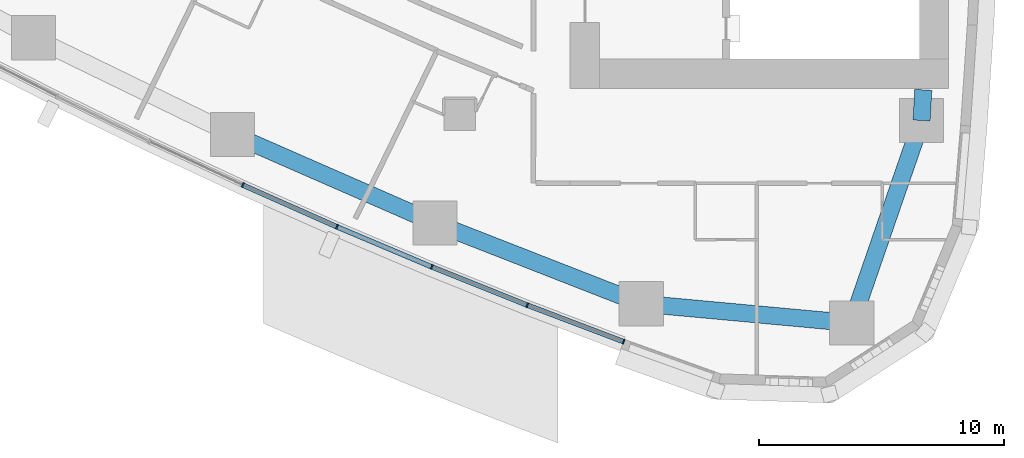
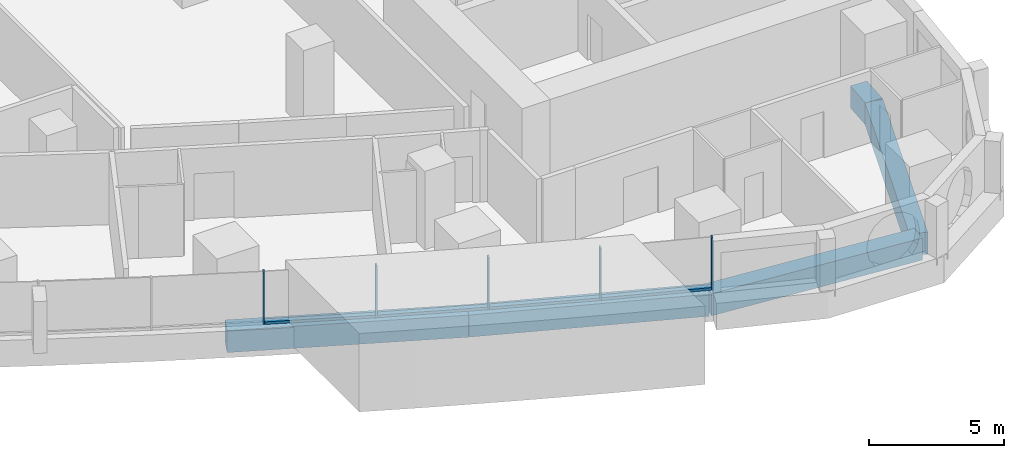
# One storey, part 3 of 18: 9 members, 5 beams, 3 elements without a shape of their own.
"""IFC4 building model written with IfcOpenShell, lengths in metres."""

from ifc_helpers import new_model, si_unit, direction, frame, origin, origin_2d, place, context, subcontext, project, spatial, rectangle, extrude, material, layer, layer_set, material_profile, profile_set, type_object, element, aggregate, save


model = new_model("IFC4")

# Units and contexts
model_context = context("Model", 3, precision=1e-05, world=origin(), true_north=direction((0.0, 1.0)))
body_context = subcontext(model_context, "Body", "Model", "MODEL_VIEW")
ifc_project = project(units=[si_unit("LENGTHUNIT", "METRE"), si_unit("AREAUNIT", "SQUARE_METRE"), si_unit("VOLUMEUNIT", "CUBIC_METRE"), si_unit("PLANEANGLEUNIT", "RADIAN"), si_unit("MASSUNIT", "GRAM", prefix="KILO")], contexts=[model_context])

# Site, building, storey
site_placement = place(None, origin())
site = spatial("IfcSite", under=ifc_project, at=site_placement, CompositionType="ELEMENT")
building_placement = place(site_placement, origin())
building = spatial("IfcBuilding", under=site, at=building_placement, Name="Ostrand Prow Hotel Tower", CompositionType="ELEMENT")
storey_placement = place(building_placement, frame((0.0, 0.0, 57.35009765625)))
storey = spatial("IfcBuildingStorey", under=building, at=storey_placement, Name="L12", CompositionType="ELEMENT", Elevation=57.35009765625)

# Beams
ifc_material_1 = material(Name="Concrete C80/95", Category="concrete")
ifc_material_profile_1 = material_profile(ifc_material_1, rectangle(XDim=0.699951171875, YDim=1.0, at=origin_2d()), Name="RC 700x1000")
ifc_profile_set_1 = profile_set([ifc_material_profile_1], Name="Concrete C80/95")
beam_type = type_object("IfcBeamType", Name="Edge beam 700x1000 C80/95", PredefinedType="SPANDREL", material=ifc_profile_set_1)
for number, where, z_axis, x_axis, name in (
    (1, (35.7412109375, -18.814208984375, -0.800048828125), (0.916095776162, -0.400959510297, 0.0), (0.400959510297, 0.916095776162, 0.0), "Edge beam S4-S5"),
    (2, (43.997802734375, -22.427978515625, -0.800048828125), (0.931329480916, -0.364177701098, 0.0), (0.364177701098, 0.931329480916, 0.0), "Edge beam S5-S6"),
):
    element("IfcBeam", number, at=place(storey_placement, frame(where, z_axis=z_axis, x_axis=x_axis)), inside=storey, type_object=beam_type, Name=name, PredefinedType="SPANDREL", context=body_context, shape_type="SweptSolid", body=[
        extrude(rectangle(XDim=0.699951171875, YDim=1.0, at=origin_2d()), origin(), (0.0, 0.0, 1.0), 9.0126953125),
    ])
beam_1_placement = place(storey_placement, frame((52.3916015625, -25.710205078125, -0.800048828125), z_axis=(0.995800189514, -0.091553167961, 0.0), x_axis=(0.091553167961, 0.995800189514, 0.0)))
element("IfcBeam", 3, at=beam_1_placement, inside=storey, type_object=beam_type, Name="Edge beam S6-SE", PredefinedType="SPANDREL", context=body_context, shape_type="SweptSolid", body=[
    extrude(rectangle(XDim=0.699951171875, YDim=1.0, at=origin_2d()), origin(), (0.0, 0.0, 1.0), 8.610595703125),
])
beam_2_placement = place(storey_placement, frame((60.966064453125, -26.49853515625, -0.800048828125), z_axis=(0.326263961413, 0.945278703602, 0.0), x_axis=(-0.945278703602, 0.326263961413, 0.0)))
element("IfcBeam", 4, at=beam_2_placement, inside=storey, type_object=beam_type, Name="Edge beam SE-B1", PredefinedType="SPANDREL", context=body_context, shape_type="SweptSolid", body=[
    extrude(rectangle(XDim=0.699951171875, YDim=1.0, at=origin_2d()), origin(), (0.0, 0.0, 1.0), 8.727294921875),
])
beam_3_placement = place(storey_placement, frame((63.8134765625, -18.248779296875, -0.800048828125), z_axis=(0.056215946509, 0.998418633319, 0.0), x_axis=(-0.998418633319, 0.056215946509, 0.0)))
element("IfcBeam", 5, at=beam_3_placement, inside=storey, type_object=beam_type, Name="Edge beam B1-B2", PredefinedType="SPANDREL", context=body_context, shape_type="SweptSolid", body=[
    extrude(rectangle(XDim=0.699951171875, YDim=1.0, at=origin_2d()), origin(), (0.0, 0.0, 1.0), 1.250732421875),
])

# Curtain wall, member
ifc_material_2 = material(Name="Insulated glass in bronze anodised frame", Category="glass")
ifc_layer = layer(ifc_material_2, 0.199951171875)
ifc_layer_set = layer_set([ifc_layer], Name="Insulated glass in bronze anodised frame")
curtain_wall_type = type_object("IfcCurtainWallType", Name="Strip curtain wall, fritted glass over bronze spandrel", PredefinedType="NOTDEFINED", material=ifc_layer_set)
curtain_wall_1_placement = place(storey_placement, origin())
curtain_wall_1 = element("IfcCurtainWall", 6, at=curtain_wall_1_placement, inside=storey, type_object=curtain_wall_type, Name="CW1 run CWS3", PredefinedType="NOTDEFINED")
ifc_material_3 = material(Name="Bronze anodised aluminium", Category="aluminium")
ifc_material_profile_2 = material_profile(ifc_material_3, rectangle(XDim=0.199951171875, YDim=0.06005859375, at=origin_2d()), Name="Mullion 60x200 bronze anodised aluminium")
ifc_profile_set_2 = profile_set([ifc_material_profile_2], Name="Bronze anodised aluminium")
member_type_1 = type_object("IfcMemberType", Name="Mullion 60x200 bronze anodised aluminium", PredefinedType="MULLION", material=ifc_profile_set_2)
member_1_placement = place(storey_placement, frame((36.162109375, -20.876953125, 0.89990234375), z_axis=(0.0, 0.0, 1.0), x_axis=(0.422529678615, 0.906349088757, 0.0)))
member_1 = element("IfcMember", 7, at=member_1_placement, type_object=member_type_1, Name="CW1 mullion 3", PredefinedType="MULLION", context=body_context, shape_type="SweptSolid", body=[
    extrude(rectangle(XDim=0.199951171875, YDim=0.06005859375, at=origin_2d()), origin(), (0.0, 0.0, 1.0), 2.35009765625),
])
aggregate(curtain_wall_1, [member_1])

# Curtain wall, members
curtain_wall_2_placement = place(storey_placement, origin())
curtain_wall_2 = element("IfcCurtainWall", 8, at=curtain_wall_2_placement, inside=storey, type_object=curtain_wall_type, Name="CW1 run CWS4", PredefinedType="NOTDEFINED")
member_2_placement = place(storey_placement, frame((39.99560546875, -22.5791015625, 0.89990234375), z_axis=(0.0, 0.0, 1.0), x_axis=(0.388892418709, 0.921283173987, 0.0)))
member_2 = element("IfcMember", 9, at=member_2_placement, type_object=member_type_1, Name="CW1 mullion 2", PredefinedType="MULLION", context=body_context, shape_type="SweptSolid", body=[
    extrude(rectangle(XDim=0.199951171875, YDim=0.06005859375, at=origin_2d()), origin(), (0.0, 0.0, 1.0), 2.35009765625),
])
member_3_placement = place(storey_placement, frame((43.859619140625, -24.210205078125, 0.89990234375), z_axis=(0.0, 0.0, 1.0), x_axis=(0.388892418709, 0.921283173987, 0.0)))
member_3 = element("IfcMember", 10, at=member_3_placement, type_object=member_type_1, Name="CW1 mullion 3", PredefinedType="MULLION", context=body_context, shape_type="SweptSolid", body=[
    extrude(rectangle(XDim=0.199951171875, YDim=0.06005859375, at=origin_2d()), origin(), (0.0, 0.0, 1.0), 2.35009765625),
])

curtain_wall_3_placement = place(storey_placement, origin())
curtain_wall_3 = element("IfcCurtainWall", 11, at=curtain_wall_3_placement, inside=storey, type_object=curtain_wall_type, Name="CW1 run CWS5", PredefinedType="NOTDEFINED")
member_4_placement = place(storey_placement, frame((47.7529296875, -25.769775390625, 0.89990234375), z_axis=(0.0, 0.0, 1.0), x_axis=(0.354728407072, 0.934969388384, 0.0)))
member_4 = element("IfcMember", 12, at=member_4_placement, type_object=member_type_1, Name="CW1 mullion 2", PredefinedType="MULLION", context=body_context, shape_type="SweptSolid", body=[
    extrude(rectangle(XDim=0.199951171875, YDim=0.06005859375, at=origin_2d()), origin(), (0.0, 0.0, 1.0), 2.35009765625),
])
member_5_placement = place(storey_placement, frame((51.674560546875, -27.2578125, 0.89990234375), z_axis=(0.0, 0.0, 1.0), x_axis=(0.354728407072, 0.934969388384, 0.0)))
member_5 = element("IfcMember", 13, at=member_5_placement, type_object=member_type_1, Name="CW1 mullion 3", PredefinedType="MULLION", context=body_context, shape_type="SweptSolid", body=[
    extrude(rectangle(XDim=0.199951171875, YDim=0.06005859375, at=origin_2d()), origin(), (0.0, 0.0, 1.0), 2.35009765625),
])

# Member
ifc_material_4 = material(Name="Bronze anodised aluminium", Category="aluminium")
ifc_material_profile_3 = material_profile(ifc_material_4, rectangle(XDim=0.199951171875, YDim=0.1201171875, at=origin_2d()), Name="Transom 120x200 bronze anodised aluminium")
ifc_profile_set_3 = profile_set([ifc_material_profile_3], Name="Bronze anodised aluminium")
member_type_2 = type_object("IfcMemberType", Name="Transom 120x200 bronze anodised aluminium", PredefinedType="USERDEFINED", material=ifc_profile_set_3)
member_6_placement = place(storey_placement, frame((36.189453125, -20.88916015625, 0.9599609375), z_axis=(0.913957599094, -0.405809693156, 0.0), x_axis=(0.405809693156, 0.913957599094, 0.0)))
member_6 = element("IfcMember", 14, at=member_6_placement, type_object=member_type_2, Name="CW1 transom 1.1", ObjectType="TRANSOM", PredefinedType="USERDEFINED", context=body_context, shape_type="SweptSolid", body=[
    extrude(rectangle(XDim=0.199951171875, YDim=0.1201171875, at=origin_2d()), origin(), (0.0, 0.0, 1.0), 4.13427734375),
])

member_7_placement = place(storey_placement, frame((40.023193359375, -22.5908203125, 0.9599609375), z_axis=(0.921284828297, -0.388888499637, 0.0), x_axis=(0.388888499637, 0.921284828297, 0.0)))
member_7 = element("IfcMember", 15, at=member_7_placement, type_object=member_type_2, Name="CW1 transom 2.1", ObjectType="TRANSOM", PredefinedType="USERDEFINED", context=body_context, shape_type="SweptSolid", body=[
    extrude(rectangle(XDim=0.199951171875, YDim=0.1201171875, at=origin_2d()), origin(), (0.0, 0.0, 1.0), 4.134033203125),
])

aggregate(curtain_wall_2, [member_2, member_3, member_6, member_7])

member_8_placement = place(storey_placement, frame((43.887451171875, -24.22119140625, 0.9599609375), z_axis=(0.928264761225, -0.371920062739, 0.0), x_axis=(0.371920062739, 0.928264761225, 0.0)))
member_8 = element("IfcMember", 16, at=member_8_placement, type_object=member_type_2, Name="CW1 transom 1.1", ObjectType="TRANSOM", PredefinedType="USERDEFINED", context=body_context, shape_type="SweptSolid", body=[
    extrude(rectangle(XDim=0.199951171875, YDim=0.1201171875, at=origin_2d()), origin(), (0.0, 0.0, 1.0), 4.13427734375),
])

member_9_placement = place(storey_placement, frame((47.781005859375, -25.780517578125, 0.9599609375), z_axis=(0.93497051437, -0.354725439261, 0.0), x_axis=(0.354725439261, 0.93497051437, 0.0)))
member_9 = element("IfcMember", 17, at=member_9_placement, type_object=member_type_2, Name="CW1 transom 2.1", ObjectType="TRANSOM", PredefinedType="USERDEFINED", context=body_context, shape_type="SweptSolid", body=[
    extrude(rectangle(XDim=0.199951171875, YDim=0.1201171875, at=origin_2d()), origin(), (0.0, 0.0, 1.0), 4.13427734375),
])

aggregate(curtain_wall_3, [member_4, member_5, member_8, member_9])

save(model, "model.ifc")
